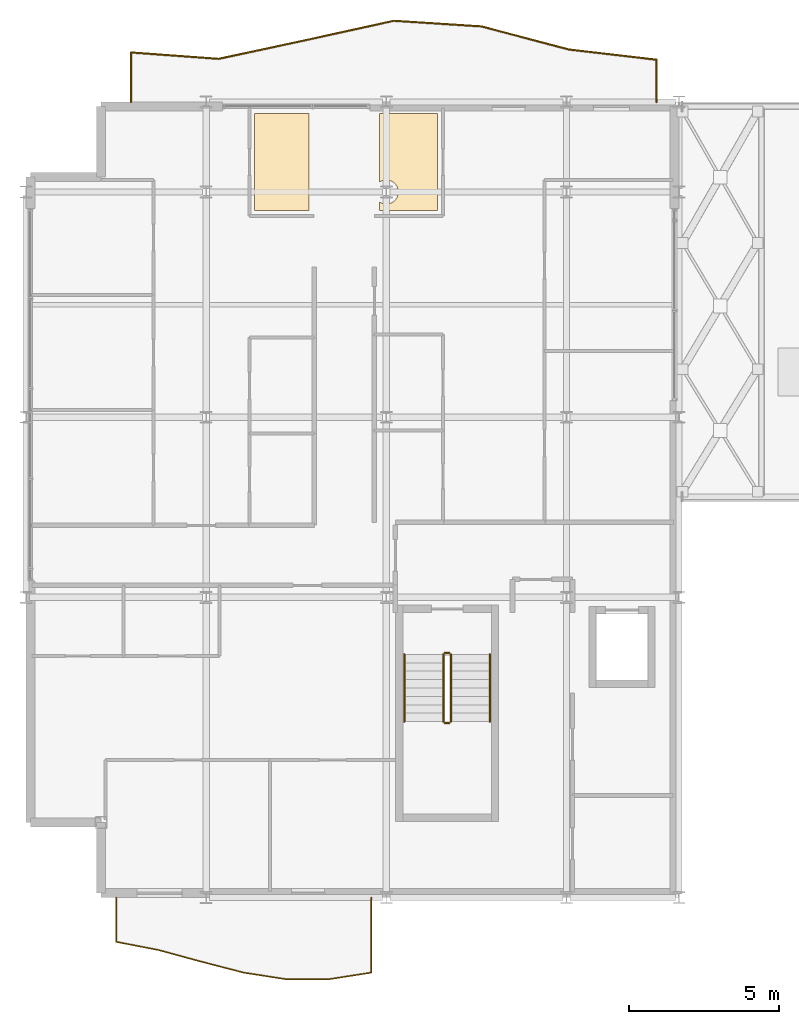
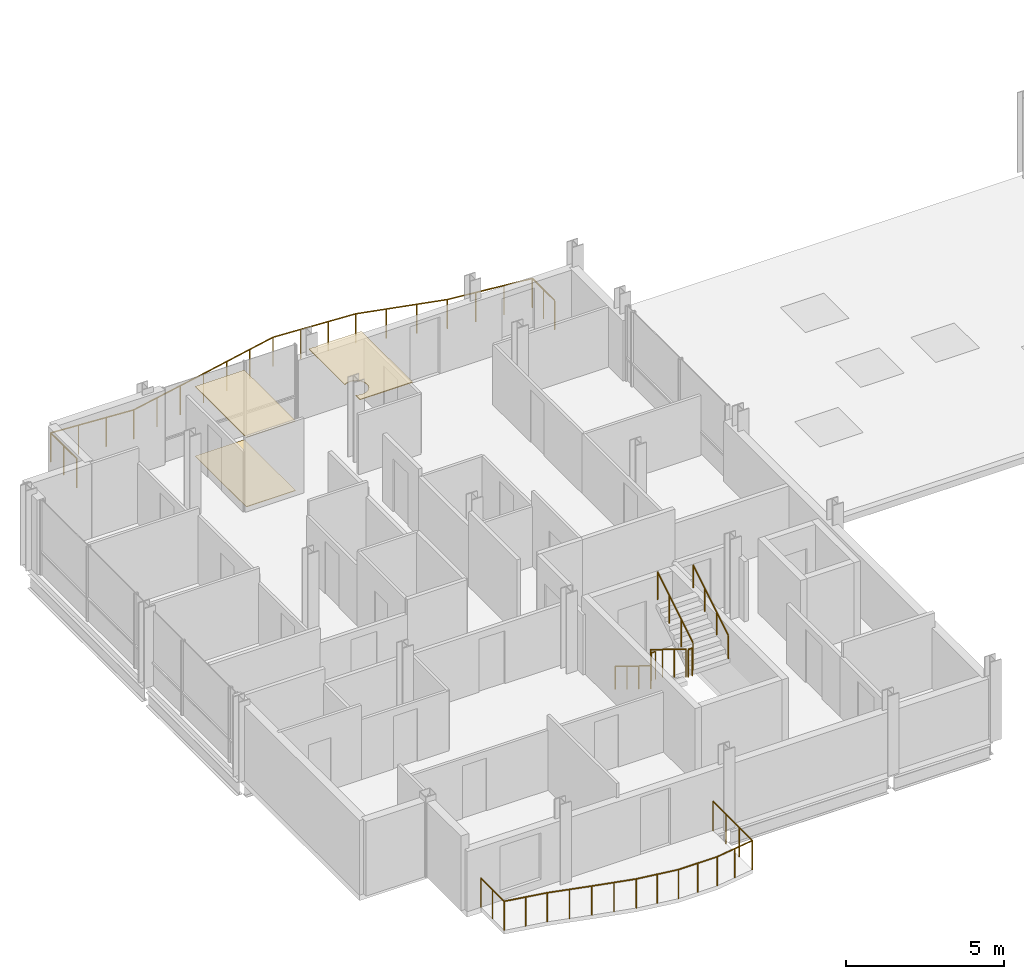
# One storey, part 32 of 33: 8 railings, 3 coverings.
"""IFC4 building model written with IfcOpenShell, lengths in metres."""

import ifcopenshell
import ifcopenshell.guid

model = None  # the IFC model being written
_history = None  # IfcOwnerHistory: only IFC2X3 demands one
_inside = {}  # id of a spatial element -> (the spatial element, [elements in it])
_under = {}  # id of a project, library or spatial element -> (it, [spatial elements below it])
_declared = {}  # id of a project -> (the project, [libraries it declares])
_typed = {}  # id of a type object -> (the type object, [elements of that type])
_made_of = {}  # id of a material, layer set ... -> (it, [elements and type objects made of it])


def new_model(schema):
    """Start an empty IFC model of exactly this schema.

    Asked for "IFC4X3", IfcOpenShell would pick the latest addendum, in which some entities
    have other attributes; the version numbers below select the first issue.
    IFC2X3 requires an IfcOwnerHistory on every rooted entity: one is made here for all.
    """
    global model, _history
    if schema == "IFC4X3":
        model = ifcopenshell.file(schema_version=(4, 3, 0, 0))
    else:
        model = ifcopenshell.file(schema=schema)
    _inside.clear()
    _under.clear()
    _declared.clear()
    _typed.clear()
    _made_of.clear()
    _history = None
    if model.schema == "IFC2X3":
        org = make("IfcOrganization", Name="unknown")
        user = make(
            "IfcPersonAndOrganization",
            ThePerson=make("IfcPerson", FamilyName="unknown"),
            TheOrganization=org,
        )
        app = make(
            "IfcApplication",
            ApplicationDeveloper=org,
            Version="unknown",
            ApplicationFullName="unknown",
            ApplicationIdentifier="unknown",
        )
        _history = make(
            "IfcOwnerHistory",
            OwningUser=user,
            OwningApplication=app,
            ChangeAction="ADDED",
            CreationDate=0,
        )
    return model


def make(cls, **values):
    """One entity of the class cls with the attributes given. An attribute that is None is left unset."""
    return model.create_entity(
        cls, **{name: value for name, value in values.items() if value is not None}
    )


def rooted(cls, **values):
    """An entity with a GlobalId (a new one), such as an element, a storey or a relation."""
    return make(cls, GlobalId=ifcopenshell.guid.new(), OwnerHistory=_history, **values)


def si_unit(unit_type, name, prefix=None):
    """IfcSIUnit, for example si_unit("LENGTHUNIT", "METRE", prefix="MILLI")."""
    return make("IfcSIUnit", UnitType=unit_type, Prefix=prefix, Name=name)


def assignment(units):
    """IfcUnitAssignment: the units of a project."""
    return None if units is None else make("IfcUnitAssignment", Units=units)


def point(xyz):
    """IfcCartesianPoint."""
    return None if xyz is None else make("IfcCartesianPoint", Coordinates=xyz)


def direction(xyz):
    """IfcDirection."""
    return None if xyz is None else make("IfcDirection", DirectionRatios=xyz)


def frame(location, z_axis=None, x_axis=None):
    """IfcAxis2Placement3D, a coordinate frame: its origin and axes. An axis left out is left unset."""
    return make(
        "IfcAxis2Placement3D",
        Location=point(location),
        Axis=direction(z_axis),
        RefDirection=direction(x_axis),
    )


def frame_2d(location, x_axis=None):
    """IfcAxis2Placement2D, a coordinate frame in the plane: its origin and x axis."""
    return make(
        "IfcAxis2Placement2D", Location=point(location), RefDirection=direction(x_axis)
    )


def origin():
    """The frame at (0, 0, 0) with its axes left unset."""
    return frame((0.0, 0.0, 0.0))


def origin_2d():
    """The frame at (0, 0) in the plane with its x axis left unset."""
    return frame_2d((0.0, 0.0))


def place(relative_to, where):
    """IfcLocalPlacement: puts the frame where relative to a parent placement (None: the world)."""
    return make(
        "IfcLocalPlacement", PlacementRelTo=relative_to, RelativePlacement=where
    )


def context(
    kind, dimensions, precision=None, world=None, true_north=None, identifier=None
):
    """IfcGeometricRepresentationContext, for example the 3D "Model" context."""
    return make(
        "IfcGeometricRepresentationContext",
        ContextIdentifier=identifier,
        ContextType=kind,
        CoordinateSpaceDimension=dimensions,
        Precision=precision,
        WorldCoordinateSystem=world,
        TrueNorth=true_north,
    )


def subcontext(parent, identifier, kind, view, scale=None):
    """IfcGeometricRepresentationSubContext, for example "Body" below "Model"."""
    return make(
        "IfcGeometricRepresentationSubContext",
        ContextIdentifier=identifier,
        ContextType=kind,
        ParentContext=parent,
        TargetScale=scale,
        TargetView=view,
    )


def project(units=None, contexts=None):
    """IfcProject with its units and contexts."""
    return rooted(
        "IfcProject",
        Name="project",
        RepresentationContexts=contexts,
        UnitsInContext=assignment(units),
    )


def spatial(cls, under=None, at=None, **own):
    """A site, building, storey or space (cls), placed at a placement, below another one or the project."""
    s = rooted(cls, ObjectPlacement=at, **own)
    if under is not None:
        _under.setdefault(under.id(), (under, []))[1].append(s)
    return s


def polyline(points):
    """IfcPolyline through the points."""
    return make("IfcPolyline", Points=[point(p) for p in points])


def profile(cls, at=None, kind="AREA", **sizes):
    """A parametric profile (cls). Its sizes go by their IFC names, for example OverallWidth=200.0."""
    return make(cls, ProfileType=kind, Position=at, **sizes)


def circle(**sizes):
    """IfcCircleProfileDef."""
    return profile("IfcCircleProfileDef", **sizes)


def outline(outer, holes=None, kind="AREA"):
    """IfcArbitraryClosedProfileDef: a profile drawn as a closed curve; with holes, ...WithVoids."""
    if holes is None:
        return make("IfcArbitraryClosedProfileDef", ProfileType=kind, OuterCurve=outer)
    return make(
        "IfcArbitraryProfileDefWithVoids",
        ProfileType=kind,
        OuterCurve=outer,
        InnerCurves=holes,
    )


def extrude(swept, where, along, depth):
    """IfcExtrudedAreaSolid: the profile swept, set in the frame where, extruded along a direction by depth."""
    return make(
        "IfcExtrudedAreaSolid",
        SweptArea=swept,
        Position=where,
        ExtrudedDirection=direction(along),
        Depth=depth,
    )


def shape(context_of_items, identifier, shape_type, items):
    """IfcShapeRepresentation: the items that make up one representation, for example the "Body"."""
    return make(
        "IfcShapeRepresentation",
        ContextOfItems=context_of_items,
        RepresentationIdentifier=identifier,
        RepresentationType=shape_type,
        Items=items,
    )


def material(Name=None, Category=None):
    """IfcMaterial."""
    return make("IfcMaterial", Name=Name, Category=Category)


def layer(
    of_material, thickness, ventilated=None, Name=None, Category=None, Priority=None
):
    """IfcMaterialLayer: one layer of a wall or slab, of a material (None: an air gap)."""
    return make(
        "IfcMaterialLayer",
        Material=of_material,
        LayerThickness=thickness,
        IsVentilated=ventilated,
        Name=Name,
        Category=Category,
        Priority=Priority,
    )


def layer_set(layers, Name=None):
    """IfcMaterialLayerSet."""
    return make("IfcMaterialLayerSet", MaterialLayers=layers, LayerSetName=Name)


def made_of(thing, what):
    """Note that an element or type object is made of a material, layer set ...; save() writes the relation."""
    if what is not None:
        _made_of.setdefault(what.id(), (what, []))[1].append(thing)
    return thing


def type_object(cls, material=None, **own):
    """A type object (cls), such as IfcWallType, which elements share."""
    return made_of(rooted(cls, **own), material)


def element(
    cls,
    number,
    at=None,
    inside=None,
    cuts=None,
    type_object=None,
    material=None,
    context=None,
    identifier="Body",
    shape_type=None,
    held_by="IfcProductDefinitionShape",
    body=None,
    shapes=None,
    **own,
):
    """One element of the class cls, such as IfcWall. Its Tag is "e" and its number.

    at: its placement. inside: the storey or other place that contains it. cuts: it is an
    opening in that element (IfcRelVoidsElement). A single representation is given by context,
    identifier, shape_type and body (its items); several are given by shapes. held_by: the class
    of the entity that holds the representations. save() writes the other relations.
    """
    e = rooted(cls, Tag="e%d" % number, ObjectPlacement=at, **own)
    if body is not None:
        shapes = [shape(context, identifier, shape_type, body)]
    if shapes is not None:
        e.Representation = make(held_by, Representations=shapes)
    if inside is not None:
        _inside.setdefault(inside.id(), (inside, []))[1].append(e)
    if cuts is not None:
        rooted(
            "IfcRelVoidsElement", RelatingBuildingElement=cuts, RelatedOpeningElement=e
        )
    if type_object is not None:
        _typed.setdefault(type_object.id(), (type_object, []))[1].append(e)
    return made_of(e, material)


def aggregate(whole, parts):
    """IfcRelAggregates: a whole, such as a stair, and the parts it consists of."""
    return rooted("IfcRelAggregates", RelatingObject=whole, RelatedObjects=parts)


def save(model, path):
    """Write the relations noted so far, then the file.

    IfcRelAggregates (storeys below a building ...), IfcRelContainedInSpatialStructure (elements
    in a storey), IfcRelDefinesByType, IfcRelAssociatesMaterial and IfcRelDeclares: one each for
    every whole, place, type object, material and project.
    """
    for whole, parts in _under.values():
        aggregate(whole, parts)
    for where, things in _inside.values():
        rooted(
            "IfcRelContainedInSpatialStructure",
            RelatedElements=things,
            RelatingStructure=where,
        )
    for kind, things in _typed.values():
        rooted("IfcRelDefinesByType", RelatedObjects=things, RelatingType=kind)
    for what, things in _made_of.values():
        rooted("IfcRelAssociatesMaterial", RelatedObjects=things, RelatingMaterial=what)
    for by, libraries in _declared.values():
        rooted("IfcRelDeclares", RelatingContext=by, RelatedDefinitions=libraries)
    model.write(path)


model = new_model("IFC4")

# Units and contexts
model_context = context("Model", 3, precision=1e-05, world=origin(), true_north=direction((0.0, 1.0)))
body_context = subcontext(model_context, "Body", "Model", "MODEL_VIEW")
ifc_project = project(units=[si_unit("LENGTHUNIT", "METRE"), si_unit("AREAUNIT", "SQUARE_METRE"), si_unit("VOLUMEUNIT", "CUBIC_METRE"), si_unit("PLANEANGLEUNIT", "RADIAN"), si_unit("MASSUNIT", "GRAM", prefix="KILO")], contexts=[model_context])

# Site, building, storey
site_placement = place(None, origin())
site = spatial("IfcSite", under=ifc_project, at=site_placement, CompositionType="ELEMENT")
building_placement = place(site_placement, origin())
building = spatial("IfcBuilding", under=site, at=building_placement, Name="Brevholm Reach", CompositionType="ELEMENT")
storey_placement = place(building_placement, frame((0.0, 0.0, 189.39990234375)))
storey = spatial("IfcBuildingStorey", under=building, at=storey_placement, Name="L57", CompositionType="ELEMENT", Elevation=189.39990234375)

# Coverings
ifc_material_1 = material(Name="Moisture-Resistant Skimmed Gypsum Plasterboard Ceiling", Category="gypsum")
ifc_layer_1 = layer(ifc_material_1, 0.030029296875)
ifc_layer_set_1 = layer_set([ifc_layer_1], Name="Moisture-Resistant Skimmed Gypsum Plasterboard Ceiling")
covering_type_1 = type_object("IfcCoveringType", Name="COV-CLG-GYP", PredefinedType="CEILING", material=ifc_layer_set_1)
covering_1_placement = place(storey_placement, frame((0.0, 0.0, 2.690185546875)))
element("IfcCovering", 1, at=covering_1_placement, inside=storey, type_object=covering_type_1, Name="L57 Suspended Ceiling L57-30", PredefinedType="CEILING", context=body_context, shape_type="SweptSolid", body=[
    extrude(outline(polyline([(7.617919921875, 26.1201171875), (9.419921875, 26.1201171875), (9.419921875, 22.8798828125), (7.617919921875, 22.8798828125), (7.617919921875, 26.1201171875)])), origin(), (0.0, 0.0, 1.0), 0.030029296875),
])
covering_2_placement = place(storey_placement, frame((0.0, 0.0, 2.690185546875)))
element("IfcCovering", 2, at=covering_2_placement, inside=storey, type_object=covering_type_1, Name="L57 Suspended Ceiling L57-37", PredefinedType="CEILING", context=body_context, shape_type="SweptSolid", body=[
    extrude(outline(polyline([(11.780029296875, 23.166015625), (11.811279296875, 23.147216796875), (11.846923828125, 23.13037109375), (11.8837890625, 23.1171875), (11.922119140625, 23.107666015625), (11.960693359375, 23.101806640625), (12.0, 23.10009765625), (12.039306640625, 23.101806640625), (12.077880859375, 23.107666015625), (12.1162109375, 23.1171875), (12.153076171875, 23.13037109375), (12.188720703125, 23.147216796875), (12.22216796875, 23.16748046875), (12.25390625, 23.19091796875), (12.28271484375, 23.21728515625), (12.30908203125, 23.24609375), (12.33251953125, 23.27783203125), (12.352783203125, 23.311279296875), (12.36962890625, 23.346923828125), (12.3828125, 23.3837890625), (12.392333984375, 23.422119140625), (12.398193359375, 23.460693359375), (12.39990234375, 23.5), (12.398193359375, 23.539306640625), (12.392333984375, 23.577880859375), (12.3828125, 23.6162109375), (12.36962890625, 23.653076171875), (12.352783203125, 23.688720703125), (12.33251953125, 23.72216796875), (12.30908203125, 23.75390625), (12.28271484375, 23.78271484375), (12.25390625, 23.80908203125), (12.22216796875, 23.83251953125), (12.188720703125, 23.852783203125), (12.153076171875, 23.86962890625), (12.1162109375, 23.8828125), (12.077880859375, 23.892333984375), (12.039306640625, 23.898193359375), (12.0, 23.89990234375), (11.960693359375, 23.898193359375), (11.922119140625, 23.892333984375), (11.8837890625, 23.8828125), (11.846923828125, 23.86962890625), (11.811279296875, 23.852783203125), (11.780029296875, 23.833984375), (11.780029296875, 26.1201171875), (11.876220703125, 26.1201171875), (11.8837890625, 26.1171875), (11.922119140625, 26.107666015625), (11.960693359375, 26.101806640625), (12.0, 26.10009765625), (12.039306640625, 26.101806640625), (12.077880859375, 26.107666015625), (12.1162109375, 26.1171875), (12.123779296875, 26.1201171875), (13.708984375, 26.1201171875), (13.708984375, 22.8798828125), (11.780029296875, 22.8798828125), (11.780029296875, 23.166015625)])), origin(), (0.0, 0.0, 1.0), 0.030029296875),
])
ifc_material_2 = material(Name="Engineered European Oak Acoustic Plank Flooring", Category="timber")
ifc_layer_2 = layer(ifc_material_2, 0.02197265625)
ifc_layer_set_2 = layer_set([ifc_layer_2], Name="Engineered European Oak Acoustic Plank Flooring")
covering_type_2 = type_object("IfcCoveringType", Name="COV-FLR-OAK", PredefinedType="FLOORING", material=ifc_layer_set_2)
covering_3_placement = place(storey_placement, origin())
element("IfcCovering", 3, at=covering_3_placement, inside=storey, type_object=covering_type_2, Name="L57 Floor Finish L57-30", PredefinedType="FLOORING", context=body_context, shape_type="SweptSolid", body=[
    extrude(outline(polyline([(7.617919921875, 26.1201171875), (9.419921875, 26.1201171875), (9.419921875, 22.8798828125), (7.617919921875, 22.8798828125), (7.617919921875, 26.1201171875)])), origin(), (0.0, 0.0, 1.0), 0.022216796875),
])

# Railings
ifc_material_3 = material(Name="Brushed Stainless Steel EN 1.4401 and Laminated Glass", Category="steel")
railing_type_1 = type_object("IfcRailingType", Name="RAL-BALC-1150", PredefinedType="BALUSTRADE", material=ifc_material_3)
railing_1_placement = place(storey_placement, frame((21.0, 26.5, 0.0)))
element("IfcRailing", 4, at=railing_1_placement, inside=storey, type_object=railing_type_1, Name="L57 Guard Balustrade RAL-L57-BAL-NW", PredefinedType="BALUSTRADE", context=body_context, shape_type="SweptSolid", body=[
    extrude(circle(Radius=0.02392578125, at=origin_2d()), frame((0.0, 0.0, 1.1259765625), z_axis=(0.0, 1.0, 0.0), x_axis=(-1.0, 0.0, 0.0)), (0.0, 0.0, 1.0), 1.408203125),
    extrude(circle(Radius=0.02392578125, at=origin_2d()), frame((0.0, 1.408203125, 1.1259765625), z_axis=(-0.99329006652, 0.11564965954, 0.0), x_axis=(-0.11564965954, -0.99329006652, 0.0)), (0.0, 0.0, 1.0), 2.9365234375),
    extrude(circle(Radius=0.02392578125, at=origin_2d()), frame((-2.916748046875, 1.747802734375, 1.1259765625), z_axis=(-0.966868735292, 0.255274065889, 0.0), x_axis=(-0.255274065889, -0.966868735292, 0.0)), (0.0, 0.0, 1.0), 3.016357421875),
    extrude(circle(Radius=0.02392578125, at=origin_2d()), frame((-5.833251953125, 2.517822265625, 1.1259765625), z_axis=(-0.997945514781, 0.06406831923, 0.0), x_axis=(-0.06406831923, -0.997945514781, 0.0)), (0.0, 0.0, 1.0), 2.9228515625),
    extrude(circle(Radius=0.02392578125, at=origin_2d()), frame((-8.75, 2.705078125, 1.1259765625), z_axis=(-0.976633143635, -0.214913244715, 0.0), x_axis=(0.214913244715, -0.976633143635, 0.0)), (0.0, 0.0, 1.0), 2.986572265625),
    extrude(circle(Radius=0.02392578125, at=origin_2d()), frame((-11.666748046875, 2.063232421875, 1.1259765625), z_axis=(-0.977699293222, -0.21000974271, 0.0), x_axis=(0.21000974271, -0.977699293222, 0.0)), (0.0, 0.0, 1.0), 2.98291015625),
    extrude(circle(Radius=0.02392578125, at=origin_2d()), frame((-14.583251953125, 1.436767578125, 1.1259765625), z_axis=(-0.997334760815, 0.072961461535, 0.0), x_axis=(-0.072961461535, -0.997334760815, 0.0)), (0.0, 0.0, 1.0), 2.924560546875),
    extrude(circle(Radius=0.02392578125, at=origin_2d()), frame((-17.5, 1.650146484375, 1.1259765625), z_axis=(0.0, -1.0, 0.0), x_axis=(1.0, 0.0, 0.0)), (0.0, 0.0, 1.0), 1.650146484375),
    extrude(circle(Radius=0.02099609375, at=origin_2d()), origin(), (0.0, 0.0, 1.0), 1.101806640625),
    extrude(circle(Radius=0.02099609375, at=origin_2d()), frame((0.0, 0.7041015625, 0.0)), (0.0, 0.0, 1.0), 1.101806640625),
    extrude(circle(Radius=0.02099609375, at=origin_2d()), frame((0.0, 1.408203125, 0.0)), (0.0, 0.0, 1.0), 1.101806640625),
    extrude(circle(Radius=0.02099609375, at=origin_2d()), frame((-0.97216796875, 1.521484375, 0.0)), (0.0, 0.0, 1.0), 1.101806640625),
    extrude(circle(Radius=0.02099609375, at=origin_2d()), frame((-1.944580078125, 1.634521484375, 0.0)), (0.0, 0.0, 1.0), 1.101806640625),
    extrude(circle(Radius=0.02099609375, at=origin_2d()), frame((-2.916748046875, 1.747802734375, 0.0)), (0.0, 0.0, 1.0), 1.101806640625),
    extrude(circle(Radius=0.02099609375, at=origin_2d()), frame((-3.888916015625, 2.00439453125, 0.0)), (0.0, 0.0, 1.0), 1.101806640625),
    extrude(circle(Radius=0.02099609375, at=origin_2d()), frame((-4.861083984375, 2.26123046875, 0.0)), (0.0, 0.0, 1.0), 1.101806640625),
    extrude(circle(Radius=0.02099609375, at=origin_2d()), frame((-5.833251953125, 2.517822265625, 0.0)), (0.0, 0.0, 1.0), 1.101806640625),
    extrude(circle(Radius=0.02099609375, at=origin_2d()), frame((-6.805419921875, 2.580322265625, 0.0)), (0.0, 0.0, 1.0), 1.101806640625),
    extrude(circle(Radius=0.02099609375, at=origin_2d()), frame((-7.77783203125, 2.642578125, 0.0)), (0.0, 0.0, 1.0), 1.101806640625),
    extrude(circle(Radius=0.02099609375, at=origin_2d()), frame((-8.75, 2.705078125, 0.0)), (0.0, 0.0, 1.0), 1.101806640625),
    extrude(circle(Radius=0.02099609375, at=origin_2d()), frame((-9.72216796875, 2.4912109375, 0.0)), (0.0, 0.0, 1.0), 1.101806640625),
    extrude(circle(Radius=0.02099609375, at=origin_2d()), frame((-10.694580078125, 2.277099609375, 0.0)), (0.0, 0.0, 1.0), 1.101806640625),
    extrude(circle(Radius=0.02099609375, at=origin_2d()), frame((-11.666748046875, 2.063232421875, 0.0)), (0.0, 0.0, 1.0), 1.101806640625),
    extrude(circle(Radius=0.02099609375, at=origin_2d()), frame((-12.638916015625, 1.8544921875, 0.0)), (0.0, 0.0, 1.0), 1.101806640625),
    extrude(circle(Radius=0.02099609375, at=origin_2d()), frame((-13.611083984375, 1.6455078125, 0.0)), (0.0, 0.0, 1.0), 1.101806640625),
    extrude(circle(Radius=0.02099609375, at=origin_2d()), frame((-14.583251953125, 1.436767578125, 0.0)), (0.0, 0.0, 1.0), 1.101806640625),
    extrude(circle(Radius=0.02099609375, at=origin_2d()), frame((-15.555419921875, 1.5078125, 0.0)), (0.0, 0.0, 1.0), 1.101806640625),
    extrude(circle(Radius=0.02099609375, at=origin_2d()), frame((-16.52783203125, 1.5791015625, 0.0)), (0.0, 0.0, 1.0), 1.101806640625),
    extrude(circle(Radius=0.02099609375, at=origin_2d()), frame((-17.5, 1.650146484375, 0.0)), (0.0, 0.0, 1.0), 1.101806640625),
    extrude(circle(Radius=0.02099609375, at=origin_2d()), frame((-17.5, 0.8251953125, 0.0)), (0.0, 0.0, 1.0), 1.101806640625),
    extrude(circle(Radius=0.02099609375, at=origin_2d()), frame((-17.5, 0.0, 0.0)), (0.0, 0.0, 1.0), 1.101806640625),
])
railing_2_placement = place(storey_placement, frame((3.0, 0.0, 0.0)))
element("IfcRailing", 5, at=railing_2_placement, inside=storey, type_object=railing_type_1, Name="L57 Guard Balustrade RAL-L57-BAL-SW", PredefinedType="BALUSTRADE", context=body_context, shape_type="SweptSolid", body=[
    extrude(circle(Radius=0.02392578125, at=origin_2d()), frame((0.0, 0.0, 1.1259765625), z_axis=(0.0, -1.0, 0.0), x_axis=(1.0, 0.0, 0.0)), (0.0, 0.0, 1.0), 1.4736328125),
    extrude(circle(Radius=0.02392578125, at=origin_2d()), frame((0.0, -1.4736328125, 1.1259765625), z_axis=(0.981784941083, -0.189995603797, 0.0), x_axis=(0.189995603797, 0.981784941083, 0.0)), (0.0, 0.0, 1.0), 1.443115234375),
    extrude(circle(Radius=0.02392578125, at=origin_2d()), frame((1.416748046875, -1.747802734375, 1.1259765625), z_axis=(0.964821360478, -0.262906337628, 0.0), x_axis=(0.262906337628, 0.964821360478, 0.0)), (0.0, 0.0, 1.0), 1.46826171875),
    extrude(circle(Radius=0.02392578125, at=origin_2d()), frame((2.833251953125, -2.1337890625, 1.1259765625), z_axis=(0.968218696825, -0.250105088151, 0.0), x_axis=(0.250105088151, 0.968218696825, 0.0)), (0.0, 0.0, 1.0), 1.463134765625),
    extrude(circle(Radius=0.02392578125, at=origin_2d()), frame((4.25, -2.499755859375, 1.1259765625), z_axis=(0.988082538492, -0.153924972393, 0.0), x_axis=(0.153924972393, 0.988082538492, 0.0)), (0.0, 0.0, 1.0), 1.433837890625),
    extrude(circle(Radius=0.02392578125, at=origin_2d()), frame((5.666748046875, -2.720458984375, 1.1259765625), z_axis=(1.0, 0.0, 0.0), x_axis=(0.0, 1.0, 0.0)), (0.0, 0.0, 1.0), 1.41650390625),
    extrude(circle(Radius=0.02392578125, at=origin_2d()), frame((7.083251953125, -2.720458984375, 1.1259765625), z_axis=(0.988082538492, 0.153924972393, 0.0), x_axis=(-0.153924972393, 0.988082538492, 0.0)), (0.0, 0.0, 1.0), 1.433837890625),
    extrude(circle(Radius=0.02392578125, at=origin_2d()), frame((8.5, -2.499755859375, 1.1259765625), z_axis=(0.0, 1.0, 0.0), x_axis=(-1.0, 0.0, 0.0)), (0.0, 0.0, 1.0), 2.499755859375),
    extrude(circle(Radius=0.02099609375, at=origin_2d()), origin(), (0.0, 0.0, 1.0), 1.101806640625),
    extrude(circle(Radius=0.02099609375, at=origin_2d()), frame((0.0, -0.73681640625, 0.0)), (0.0, 0.0, 1.0), 1.101806640625),
    extrude(circle(Radius=0.02099609375, at=origin_2d()), frame((0.0, -1.4736328125, 0.0)), (0.0, 0.0, 1.0), 1.101806640625),
    extrude(circle(Radius=0.02099609375, at=origin_2d()), frame((0.70849609375, -1.61083984375, 0.0)), (0.0, 0.0, 1.0), 1.101806640625),
    extrude(circle(Radius=0.02099609375, at=origin_2d()), frame((1.416748046875, -1.747802734375, 0.0)), (0.0, 0.0, 1.0), 1.101806640625),
    extrude(circle(Radius=0.02099609375, at=origin_2d()), frame((2.125, -1.94091796875, 0.0)), (0.0, 0.0, 1.0), 1.101806640625),
    extrude(circle(Radius=0.02099609375, at=origin_2d()), frame((2.833251953125, -2.1337890625, 0.0)), (0.0, 0.0, 1.0), 1.101806640625),
    extrude(circle(Radius=0.02099609375, at=origin_2d()), frame((3.54150390625, -2.31689453125, 0.0)), (0.0, 0.0, 1.0), 1.101806640625),
    extrude(circle(Radius=0.02099609375, at=origin_2d()), frame((4.25, -2.499755859375, 0.0)), (0.0, 0.0, 1.0), 1.101806640625),
    extrude(circle(Radius=0.02099609375, at=origin_2d()), frame((4.95849609375, -2.610107421875, 0.0)), (0.0, 0.0, 1.0), 1.101806640625),
    extrude(circle(Radius=0.02099609375, at=origin_2d()), frame((5.666748046875, -2.720458984375, 0.0)), (0.0, 0.0, 1.0), 1.101806640625),
    extrude(circle(Radius=0.02099609375, at=origin_2d()), frame((6.375, -2.720458984375, 0.0)), (0.0, 0.0, 1.0), 1.101806640625),
    extrude(circle(Radius=0.02099609375, at=origin_2d()), frame((7.083251953125, -2.720458984375, 0.0)), (0.0, 0.0, 1.0), 1.101806640625),
    extrude(circle(Radius=0.02099609375, at=origin_2d()), frame((7.79150390625, -2.610107421875, 0.0)), (0.0, 0.0, 1.0), 1.101806640625),
    extrude(circle(Radius=0.02099609375, at=origin_2d()), frame((8.5, -2.499755859375, 0.0)), (0.0, 0.0, 1.0), 1.101806640625),
    extrude(circle(Radius=0.02099609375, at=origin_2d()), frame((8.5, -1.66650390625, 0.0)), (0.0, 0.0, 1.0), 1.101806640625),
    extrude(circle(Radius=0.02099609375, at=origin_2d()), frame((8.5, -0.833251953125, 0.0)), (0.0, 0.0, 1.0), 1.101806640625),
    extrude(circle(Radius=0.02099609375, at=origin_2d()), frame((8.5, 0.0, 0.0)), (0.0, 0.0, 1.0), 1.101806640625),
])
ifc_material_4 = material(Name="Brushed Stainless Steel EN 1.4401 Continuous Handrail", Category="steel")
railing_type_2 = type_object("IfcRailingType", Name="RAL-HND-950", PredefinedType="HANDRAIL", material=ifc_material_4)
railing_3_placement = place(storey_placement, frame((12.60009765625, 8.10009765625, 0.17236328125)))
element("IfcRailing", 6, at=railing_3_placement, inside=storey, type_object=railing_type_2, Name="L57 ST-1 stair handrail 1", PredefinedType="HANDRAIL", context=body_context, shape_type="SweptSolid", body=[
    extrude(circle(Radius=0.02392578125, at=origin_2d()), frame((0.0, 0.0, 0.8857421875), z_axis=(0.0, -0.85178898068, 0.523885037382), x_axis=(1.0, 0.0, 0.0)), (0.0, 0.0, 1.0), 2.629638671875),
    extrude(circle(Radius=0.02099609375, at=origin_2d()), origin(), (0.0, 0.0, 1.0), 0.86181640625),
    extrude(circle(Radius=0.02099609375, at=origin_2d()), frame((0.0, -0.74658203125, 0.459228515625)), (0.0, 0.0, 1.0), 0.86181640625),
    extrude(circle(Radius=0.02099609375, at=origin_2d()), frame((0.0, -1.493408203125, 0.91845703125)), (0.0, 0.0, 1.0), 0.86181640625),
    extrude(circle(Radius=0.02099609375, at=origin_2d()), frame((0.0, -2.239990234375, 1.377685546875)), (0.0, 0.0, 1.0), 0.86181640625),
])
railing_4_placement = place(storey_placement, frame((15.449951171875, 5.860107421875, 1.722412109375)))
element("IfcRailing", 7, at=railing_4_placement, inside=storey, type_object=railing_type_2, Name="L57 ST-1 stair handrail 2", PredefinedType="HANDRAIL", context=body_context, shape_type="SweptSolid", body=[
    extrude(circle(Radius=0.02392578125, at=origin_2d()), frame((0.0, 0.0, 0.8857421875), z_axis=(0.0, 0.85178898068, 0.523885037382), x_axis=(-1.0, 0.0, 0.0)), (0.0, 0.0, 1.0), 2.629638671875),
    extrude(circle(Radius=0.02099609375, at=origin_2d()), origin(), (0.0, 0.0, 1.0), 0.86181640625),
    extrude(circle(Radius=0.02099609375, at=origin_2d()), frame((0.0, 0.74658203125, 0.459228515625)), (0.0, 0.0, 1.0), 0.86181640625),
    extrude(circle(Radius=0.02099609375, at=origin_2d()), frame((0.0, 1.493408203125, 0.91845703125)), (0.0, 0.0, 1.0), 0.86181640625),
    extrude(circle(Radius=0.02099609375, at=origin_2d()), frame((0.0, 2.239990234375, 1.377685546875)), (0.0, 0.0, 1.0), 0.86181640625),
])
ifc_material_5 = material(Name="Painted Tubular Galvanised Steel S275JR Stair Guard", Category="steel")
railing_type_3 = type_object("IfcRailingType", Name="RAL-STG-1120", PredefinedType="BALUSTRADE", material=ifc_material_5)
railing_5_placement = place(storey_placement, frame((13.89990234375, 8.10009765625, 0.17236328125)))
element("IfcRailing", 8, at=railing_5_placement, inside=storey, type_object=railing_type_3, Name="L57 ST-1 stair guard 1", PredefinedType="BALUSTRADE", context=body_context, shape_type="SweptSolid", body=[
    extrude(circle(Radius=0.02392578125, at=origin_2d()), frame((0.0, 0.0, 1.076171875), z_axis=(0.0, -0.85178898068, 0.523885037382), x_axis=(1.0, 0.0, 0.0)), (0.0, 0.0, 1.0), 2.629638671875),
    extrude(circle(Radius=0.02099609375, at=origin_2d()), origin(), (0.0, 0.0, 1.0), 1.052001953125),
    extrude(circle(Radius=0.02099609375, at=origin_2d()), frame((0.0, -0.74658203125, 0.459228515625)), (0.0, 0.0, 1.0), 1.052001953125),
    extrude(circle(Radius=0.02099609375, at=origin_2d()), frame((0.0, -1.493408203125, 0.91845703125)), (0.0, 0.0, 1.0), 1.052001953125),
    extrude(circle(Radius=0.02099609375, at=origin_2d()), frame((0.0, -2.239990234375, 1.377685546875)), (0.0, 0.0, 1.0), 1.052001953125),
])
railing_6_placement = place(storey_placement, frame((13.949951171875, 5.81005859375, 1.550048828125)))
element("IfcRailing", 9, at=railing_6_placement, inside=storey, type_object=railing_type_3, Name="L57 ST-1 stair guard 2", PredefinedType="BALUSTRADE", context=body_context, shape_type="SweptSolid", body=[
    extrude(circle(Radius=0.02392578125, at=origin_2d()), frame((0.0, 0.0, 1.076171875), z_axis=(1.0, 0.0, 0.0), x_axis=(0.0, 1.0, 0.0)), (0.0, 0.0, 1.0), 0.150146484375),
    extrude(circle(Radius=0.02099609375, at=origin_2d()), origin(), (0.0, 0.0, 1.0), 1.052001953125),
    extrude(circle(Radius=0.02099609375, at=origin_2d()), frame((0.150146484375, 0.0, 0.0)), (0.0, 0.0, 1.0), 1.052001953125),
])
railing_7_placement = place(storey_placement, frame((14.14990234375, 5.860107421875, 1.722412109375)))
element("IfcRailing", 10, at=railing_7_placement, inside=storey, type_object=railing_type_3, Name="L57 ST-1 stair guard 3", PredefinedType="BALUSTRADE", context=body_context, shape_type="SweptSolid", body=[
    extrude(circle(Radius=0.02392578125, at=origin_2d()), frame((0.0, 0.0, 1.076171875), z_axis=(0.0, 0.85178898068, 0.523885037382), x_axis=(-1.0, 0.0, 0.0)), (0.0, 0.0, 1.0), 2.629638671875),
    extrude(circle(Radius=0.02099609375, at=origin_2d()), origin(), (0.0, 0.0, 1.0), 1.052001953125),
    extrude(circle(Radius=0.02099609375, at=origin_2d()), frame((0.0, 0.74658203125, 0.459228515625)), (0.0, 0.0, 1.0), 1.052001953125),
    extrude(circle(Radius=0.02099609375, at=origin_2d()), frame((0.0, 1.493408203125, 0.91845703125)), (0.0, 0.0, 1.0), 1.052001953125),
    extrude(circle(Radius=0.02099609375, at=origin_2d()), frame((0.0, 2.239990234375, 1.377685546875)), (0.0, 0.0, 1.0), 1.052001953125),
])
railing_8_placement = place(storey_placement, frame((13.949951171875, 8.14990234375, 0.0)))
element("IfcRailing", 11, at=railing_8_placement, inside=storey, type_object=railing_type_3, Name="L57 ST-1 stair guard 4", PredefinedType="BALUSTRADE", context=body_context, shape_type="SweptSolid", body=[
    extrude(circle(Radius=0.02392578125, at=origin_2d()), frame((0.0, 0.0, 1.076171875), z_axis=(1.0, 0.0, 0.0), x_axis=(0.0, 1.0, 0.0)), (0.0, 0.0, 1.0), 0.150146484375),
    extrude(circle(Radius=0.02099609375, at=origin_2d()), origin(), (0.0, 0.0, 1.0), 1.052001953125),
    extrude(circle(Radius=0.02099609375, at=origin_2d()), frame((0.150146484375, 0.0, 0.0)), (0.0, 0.0, 1.0), 1.052001953125),
])

save(model, "model.ifc")
